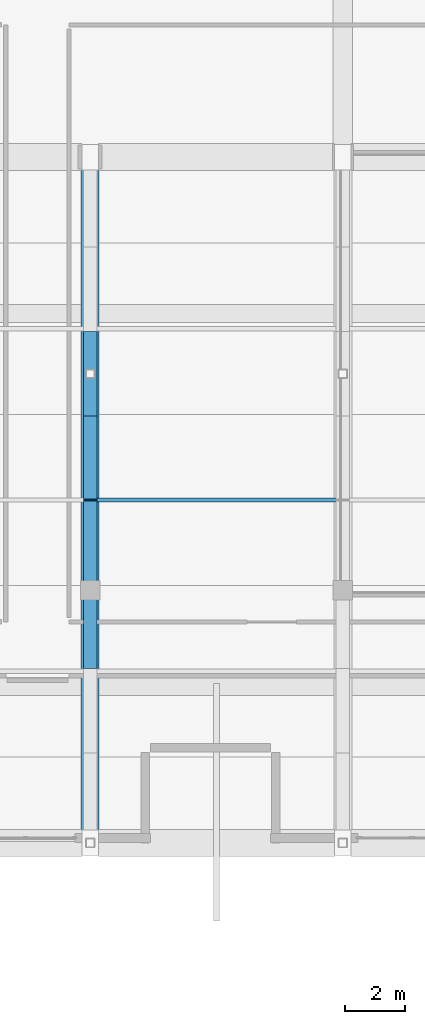
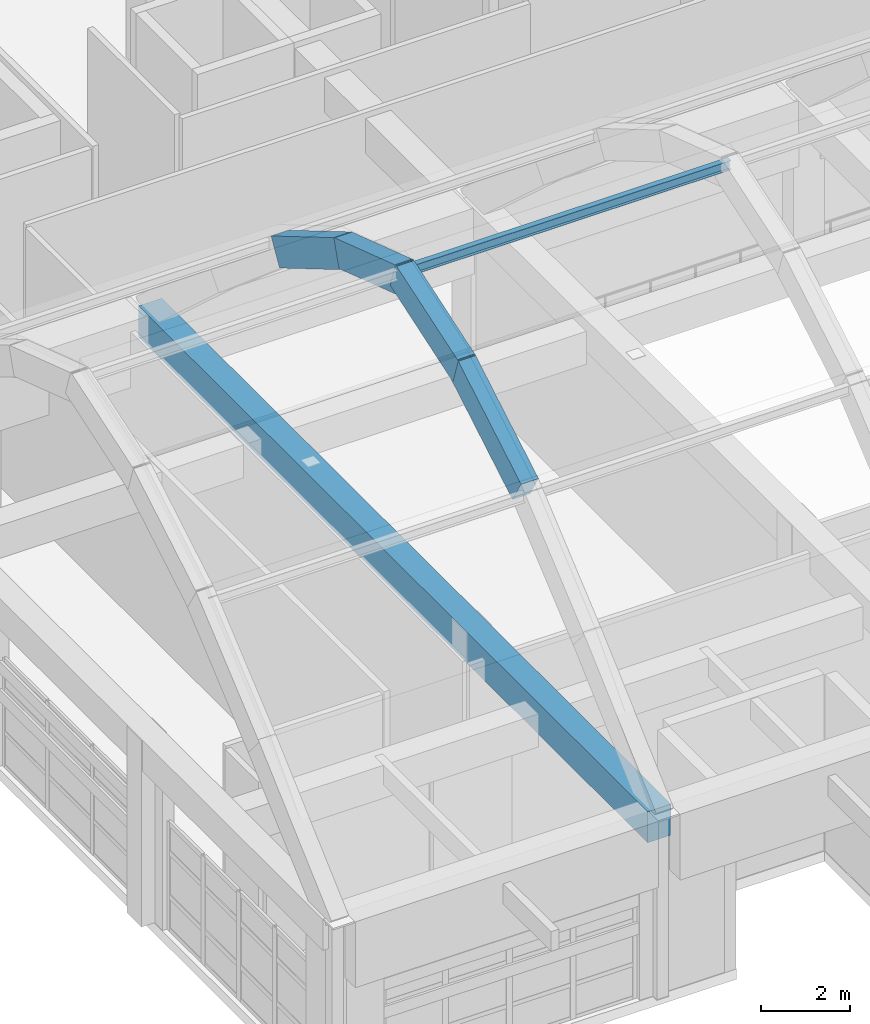
# One storey, part 36 of 103: 5 beams, 1 member.
"""IFC4 building model written with IfcOpenShell, lengths in metres."""

from ifc_helpers import new_model, si_unit, direction, frame, origin, origin_2d, place, context, subcontext, project, spatial, rectangle, i_section, extrude, material, material_profile, profile_set, type_object, element, save


model = new_model("IFC4")

# Units and contexts
model_context = context("Model", 3, precision=1e-05, world=origin(), true_north=direction((0.0, 1.0)))
body_context = subcontext(model_context, "Body", "Model", "MODEL_VIEW")
ifc_project = project(units=[si_unit("LENGTHUNIT", "METRE"), si_unit("AREAUNIT", "SQUARE_METRE"), si_unit("VOLUMEUNIT", "CUBIC_METRE"), si_unit("PLANEANGLEUNIT", "RADIAN"), si_unit("MASSUNIT", "GRAM", prefix="KILO")], contexts=[model_context])

# Site, building, storey
site_placement = place(None, origin())
site = spatial("IfcSite", under=ifc_project, at=site_placement, CompositionType="ELEMENT")
building_placement = place(site_placement, origin())
building = spatial("IfcBuilding", under=site, at=building_placement, Name="Quendrovan Civic Courthouse", CompositionType="ELEMENT")
storey_placement = place(building_placement, frame((0.0, 0.0, 15.300048828125)))
storey = spatial("IfcBuildingStorey", under=building, at=storey_placement, Name="L04", CompositionType="ELEMENT", Elevation=15.300048828125)

# Beams
ifc_material_1 = material(Name="Post-tensioned concrete C50/60", Category="concrete")
ifc_material_profile_1 = material_profile(ifc_material_1, rectangle(XDim=0.60009765625, YDim=0.85009765625, at=origin_2d()), Name="PT-TIE-600x850")
ifc_profile_set_1 = profile_set([ifc_material_profile_1], Name="Post-tensioned concrete C50/60")
beam_type_1 = type_object("IfcBeamType", Name="BM-PTTIE850", PredefinedType="BEAM", material=ifc_profile_set_1)
beam_1_placement = place(storey_placement, frame((42.0, 64.800048828125, 4.675048828125), z_axis=(0.0, 1.0, 0.0), x_axis=(-1.0, 0.0, 0.0)))
element("IfcBeam", 1, at=beam_1_placement, inside=storey, type_object=beam_type_1, Name="BV2 Vault Post-Tensioned Tie Beam A2", PredefinedType="BEAM", context=body_context, shape_type="SweptSolid", body=[
    extrude(rectangle(XDim=0.60009765625, YDim=0.85009765625, at=origin_2d()), origin(), (0.0, 0.0, 1.0), 22.800048828125),
])
ifc_material_2 = material(Name="Concrete C40/50", Category="concrete")
ifc_material_profile_2 = material_profile(ifc_material_2, rectangle(XDim=0.449951171875, YDim=0.75, at=origin_2d()), Name="RC-VRIB-450x750")
ifc_profile_set_2 = profile_set([ifc_material_profile_2], Name="Concrete C40/50")
beam_type_2 = type_object("IfcBeamType", Name="BM-VRIB750", PredefinedType="BEAM", material=ifc_profile_set_2)
beam_2_placement = place(storey_placement, frame((42.0, 70.7919921875, 10.1806640625), z_axis=(0.0, 0.861355141515, 0.508003267889), x_axis=(-1.0, 0.0, 0.0)))
element("IfcBeam", 2, at=beam_2_placement, inside=storey, type_object=beam_type_2, Name="BV2 Concrete Vault Arch Rib A2-C3", PredefinedType="BEAM", context=body_context, shape_type="SweptSolid", body=[
    extrude(rectangle(XDim=0.449951171875, YDim=0.75, at=origin_2d()), origin(), (0.0, 0.0, 1.0), 3.308837890625),
])
for number, where, z_axis, x_axis, name in (
    (3, (42.0, 73.531494140625, 11.811279296875), (0.0, 0.948848042791, 0.315733101989), (-1.0, 0.0, 0.0), "BV2 Concrete Vault Arch Rib A2-C4"),
    (4, (42.0, 76.05859375, 12.746337890625), (0.0, 0.948839823913, -0.315757800468), (-1.0, 0.0, 0.0), "BV2 Concrete Vault Arch Rib A2-C5"),
):
    element("IfcBeam", number, at=place(storey_placement, frame(where, z_axis=z_axis, x_axis=x_axis)), inside=storey, type_object=beam_type_2, Name=name, PredefinedType="BEAM", context=body_context, shape_type="SweptSolid", body=[
        extrude(rectangle(XDim=0.449951171875, YDim=0.75, at=origin_2d()), origin(), (0.0, 0.0, 1.0), 2.96142578125),
    ])
beam_3_placement = place(storey_placement, frame((42.0, 78.7578125, 11.861572265625), z_axis=(0.0, 0.861355141515, -0.508003267889), x_axis=(-1.0, 0.0, 0.0)))
element("IfcBeam", 5, at=beam_3_placement, inside=storey, type_object=beam_type_2, Name="BV2 Concrete Vault Arch Rib A2-C6", PredefinedType="BEAM", context=body_context, shape_type="SweptSolid", body=[
    extrude(rectangle(XDim=0.449951171875, YDim=0.75, at=origin_2d()), origin(), (0.0, 0.0, 1.0), 3.308837890625),
])

# Member
ifc_material_3 = material(Name="Steel ASTM A992 Grade 50", Category="steel")
ifc_material_profile_3 = material_profile(ifc_material_3, i_section(OverallWidth=0.14599609375, OverallDepth=0.258056640625, WebThickness=0.006103515625, FlangeThickness=0.009033203125, at=origin_2d()), Name="W250x33")
ifc_profile_set_3 = profile_set([ifc_material_profile_3], Name="Steel ASTM A992 Grade 50")
member_type = type_object("IfcMemberType", Name="MEM-PUR-W250", PredefinedType="PURLIN", material=ifc_profile_set_3)
member_placement = place(storey_placement, frame((42.0, 76.199951171875, 12.85986328125), z_axis=(1.0, 0.0, 0.0), x_axis=(0.0, 1.0, 0.0)))
element("IfcMember", 6, at=member_placement, inside=storey, type_object=member_type, Name="BV2 Vault Longitudinal Purlin B2-2", PredefinedType="PURLIN", context=body_context, shape_type="SweptSolid", body=[
    extrude(i_section(OverallWidth=0.14599609375, OverallDepth=0.258056640625, WebThickness=0.006103515625, FlangeThickness=0.009033203125, at=origin_2d()), origin(), (0.0, 0.0, 1.0), 8.39990234375),
])

save(model, "model.ifc")
